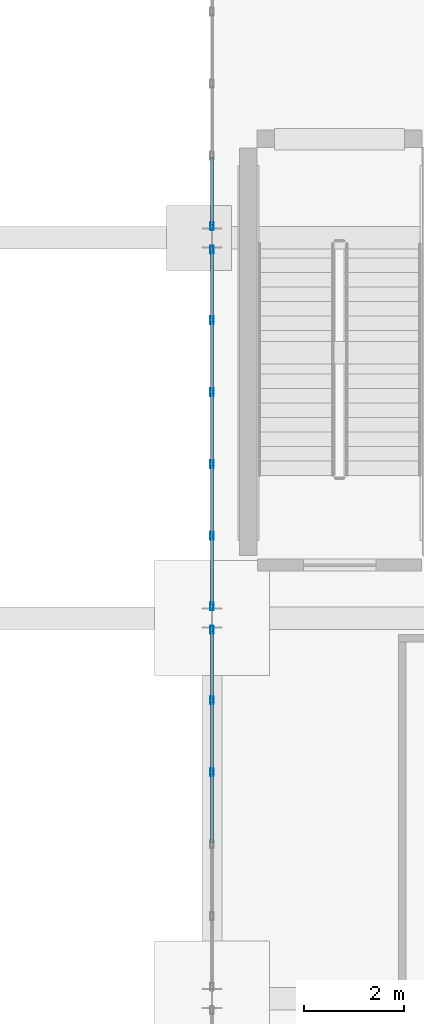
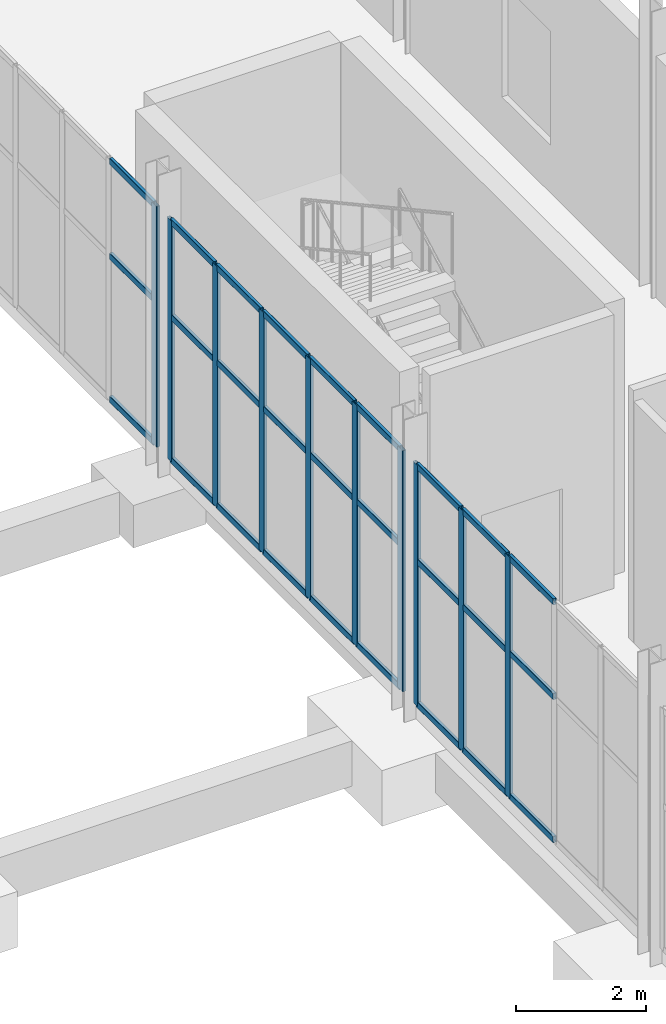
# One storey, part 51 of 95: 37 members, 3 elements without a shape of their own.
"""IFC4 building model written with IfcOpenShell, lengths in metres."""

from ifc_helpers import new_model, si_unit, direction, frame, origin, origin_2d, place, context, subcontext, project, spatial, hollow_rectangle, extrude, material, material_profile, profile_set, type_object, element, aggregate, save


model = new_model("IFC4")

# Units and contexts
model_context = context("Model", 3, precision=1e-05, world=origin(), true_north=direction((0.0, 1.0)))
body_context = subcontext(model_context, "Body", "Model", "MODEL_VIEW")
ifc_project = project(units=[si_unit("LENGTHUNIT", "METRE"), si_unit("AREAUNIT", "SQUARE_METRE"), si_unit("VOLUMEUNIT", "CUBIC_METRE"), si_unit("PLANEANGLEUNIT", "RADIAN"), si_unit("MASSUNIT", "GRAM", prefix="KILO")], contexts=[model_context])

# Site, building, storey
site_placement = place(None, origin())
site = spatial("IfcSite", under=ifc_project, at=site_placement, CompositionType="ELEMENT")
building_placement = place(site_placement, origin())
building = spatial("IfcBuilding", under=site, at=building_placement, Name="Shengluoqiao Park Theatre", CompositionType="ELEMENT")
storey_placement = place(building_placement, origin())
storey = spatial("IfcBuildingStorey", under=building, at=storey_placement, Name="L00", CompositionType="ELEMENT", Elevation=0.0)

# Curtain wall, members
ifc_material = material(Name="Aluminium 6063-T6", Category="aluminium")
curtain_wall_type = type_object("IfcCurtainWallType", Name="ENV-CW-COURT", PredefinedType="NOTDEFINED", material=ifc_material)
curtain_wall_1_placement = place(storey_placement, origin())
curtain_wall_1 = element("IfcCurtainWall", 1, at=curtain_wall_1_placement, inside=storey, type_object=curtain_wall_type, Name="L00 Curtain Wall CWX-L00-0173", PredefinedType="NOTDEFINED")
ifc_material_profile_1 = material_profile(ifc_material, hollow_rectangle(XDim=0.06005859375, YDim=0.159912109375, WallThickness=0.00390625, InnerFilletRadius=0.00390625, OuterFilletRadius=0.008056640625, at=origin_2d()), Name="ALU MULLION 160x60x4")
ifc_profile_set_1 = profile_set([ifc_material_profile_1], Name="Aluminium 6063-T6")
member_type_1 = type_object("IfcMemberType", Name="ENV-MUL-160", PredefinedType="MULLION", material=ifc_profile_set_1)
member_1_placement = place(storey_placement, frame((157.199951171875, 50.119140625, 0.0), z_axis=(0.0, 0.0, 1.0), x_axis=(-1.0, 0.0, 0.0)))
member_1 = element("IfcMember", 2, at=member_1_placement, type_object=member_type_1, Name="CW-05 mullion 4", PredefinedType="MULLION", context=body_context, shape_type="SweptSolid", body=[
    extrude(hollow_rectangle(XDim=0.06005859375, YDim=0.159912109375, WallThickness=0.00390625, InnerFilletRadius=0.00390625, OuterFilletRadius=0.008056640625, at=origin_2d()), origin(), (0.0, 0.0, 1.0), 4.5419921875),
])
member_2_placement = place(storey_placement, frame((157.199951171875, 51.5576171875, 0.0), z_axis=(0.0, 0.0, 1.0), x_axis=(-1.0, 0.0, 0.0)))
member_2 = element("IfcMember", 3, at=member_2_placement, type_object=member_type_1, Name="CW-05 mullion 5", PredefinedType="MULLION", context=body_context, shape_type="SweptSolid", body=[
    extrude(hollow_rectangle(XDim=0.06005859375, YDim=0.159912109375, WallThickness=0.00390625, InnerFilletRadius=0.00390625, OuterFilletRadius=0.008056640625, at=origin_2d()), origin(), (0.0, 0.0, 1.0), 4.5419921875),
])
member_3_placement = place(storey_placement, frame((157.199951171875, 52.966064453125, 0.0), z_axis=(0.0, 0.0, 1.0), x_axis=(-1.0, 0.0, 0.0)))
member_3 = element("IfcMember", 4, at=member_3_placement, type_object=member_type_1, Name="CW-05 mullion 6", PredefinedType="MULLION", context=body_context, shape_type="SweptSolid", body=[
    extrude(hollow_rectangle(XDim=0.06005859375, YDim=0.159912109375, WallThickness=0.00390625, InnerFilletRadius=0.00390625, OuterFilletRadius=0.008056640625, at=origin_2d()), origin(), (0.0, 0.0, 1.0), 4.5419921875),
])

curtain_wall_2_placement = place(storey_placement, origin())
curtain_wall_2 = element("IfcCurtainWall", 5, at=curtain_wall_2_placement, inside=storey, type_object=curtain_wall_type, Name="L00 Curtain Wall CWX-L00-0174", PredefinedType="NOTDEFINED")
member_4_placement = place(storey_placement, frame((157.199951171875, 53.43408203125, 0.0), z_axis=(0.0, 0.0, 1.0), x_axis=(-1.0, 0.0, 0.0)))
member_4 = element("IfcMember", 6, at=member_4_placement, type_object=member_type_1, Name="CW-05 mullion 1", PredefinedType="MULLION", context=body_context, shape_type="SweptSolid", body=[
    extrude(hollow_rectangle(XDim=0.06005859375, YDim=0.159912109375, WallThickness=0.00390625, InnerFilletRadius=0.00390625, OuterFilletRadius=0.008056640625, at=origin_2d()), origin(), (0.0, 0.0, 1.0), 4.5419921875),
])
member_5_placement = place(storey_placement, frame((157.199951171875, 54.84228515625, 0.0), z_axis=(0.0, 0.0, 1.0), x_axis=(-1.0, 0.0, 0.0)))
member_5 = element("IfcMember", 7, at=member_5_placement, type_object=member_type_1, Name="CW-05 mullion 2", PredefinedType="MULLION", context=body_context, shape_type="SweptSolid", body=[
    extrude(hollow_rectangle(XDim=0.06005859375, YDim=0.159912109375, WallThickness=0.00390625, InnerFilletRadius=0.00390625, OuterFilletRadius=0.008056640625, at=origin_2d()), origin(), (0.0, 0.0, 1.0), 4.5419921875),
])
member_6_placement = place(storey_placement, frame((157.199951171875, 56.28076171875, 0.0), z_axis=(0.0, 0.0, 1.0), x_axis=(-1.0, 0.0, 0.0)))
member_6 = element("IfcMember", 8, at=member_6_placement, type_object=member_type_1, Name="CW-05 mullion 3", PredefinedType="MULLION", context=body_context, shape_type="SweptSolid", body=[
    extrude(hollow_rectangle(XDim=0.06005859375, YDim=0.159912109375, WallThickness=0.00390625, InnerFilletRadius=0.00390625, OuterFilletRadius=0.008056640625, at=origin_2d()), origin(), (0.0, 0.0, 1.0), 4.5419921875),
])
member_7_placement = place(storey_placement, frame((157.199951171875, 57.71923828125, 0.0), z_axis=(0.0, 0.0, 1.0), x_axis=(-1.0, 0.0, 0.0)))
member_7 = element("IfcMember", 9, at=member_7_placement, type_object=member_type_1, Name="CW-05 mullion 4", PredefinedType="MULLION", context=body_context, shape_type="SweptSolid", body=[
    extrude(hollow_rectangle(XDim=0.06005859375, YDim=0.159912109375, WallThickness=0.00390625, InnerFilletRadius=0.00390625, OuterFilletRadius=0.008056640625, at=origin_2d()), origin(), (0.0, 0.0, 1.0), 4.5419921875),
])
member_8_placement = place(storey_placement, frame((157.199951171875, 59.15771484375, 0.0), z_axis=(0.0, 0.0, 1.0), x_axis=(-1.0, 0.0, 0.0)))
member_8 = element("IfcMember", 10, at=member_8_placement, type_object=member_type_1, Name="CW-05 mullion 5", PredefinedType="MULLION", context=body_context, shape_type="SweptSolid", body=[
    extrude(hollow_rectangle(XDim=0.06005859375, YDim=0.159912109375, WallThickness=0.00390625, InnerFilletRadius=0.00390625, OuterFilletRadius=0.008056640625, at=origin_2d()), origin(), (0.0, 0.0, 1.0), 4.5419921875),
])
member_9_placement = place(storey_placement, frame((157.199951171875, 60.56591796875, 0.0), z_axis=(0.0, 0.0, 1.0), x_axis=(-1.0, 0.0, 0.0)))
member_9 = element("IfcMember", 11, at=member_9_placement, type_object=member_type_1, Name="CW-05 mullion 6", PredefinedType="MULLION", context=body_context, shape_type="SweptSolid", body=[
    extrude(hollow_rectangle(XDim=0.06005859375, YDim=0.159912109375, WallThickness=0.00390625, InnerFilletRadius=0.00390625, OuterFilletRadius=0.008056640625, at=origin_2d()), origin(), (0.0, 0.0, 1.0), 4.5419921875),
])

# Curtain wall, member
curtain_wall_3_placement = place(storey_placement, origin())
curtain_wall_3 = element("IfcCurtainWall", 12, at=curtain_wall_3_placement, inside=storey, type_object=curtain_wall_type, Name="L00 Curtain Wall CWX-L00-0175", PredefinedType="NOTDEFINED")
member_10_placement = place(storey_placement, frame((157.199951171875, 61.033935546875, 0.0), z_axis=(0.0, 0.0, 1.0), x_axis=(-1.0, 0.0, 0.0)))
member_10 = element("IfcMember", 13, at=member_10_placement, type_object=member_type_1, Name="CW-05 mullion 1", PredefinedType="MULLION", context=body_context, shape_type="SweptSolid", body=[
    extrude(hollow_rectangle(XDim=0.06005859375, YDim=0.159912109375, WallThickness=0.00390625, InnerFilletRadius=0.00390625, OuterFilletRadius=0.008056640625, at=origin_2d()), origin(), (0.0, 0.0, 1.0), 4.5419921875),
])

# Member
ifc_material_profile_2 = material_profile(ifc_material, hollow_rectangle(XDim=0.06005859375, YDim=0.1201171875, WallThickness=0.00390625, InnerFilletRadius=0.00390625, OuterFilletRadius=0.008056640625, at=origin_2d()), Name="ALU TRANSOM 120x60x4")
ifc_profile_set_2 = profile_set([ifc_material_profile_2], Name="Aluminium 6063-T6")
member_type_2 = type_object("IfcMemberType", Name="ENV-TRN-120", PredefinedType="USERDEFINED", material=ifc_profile_set_2)
member_11_placement = place(storey_placement, frame((157.199951171875, 48.710693359375, 0.030029296875), z_axis=(0.0, 1.0, 0.0), x_axis=(-1.0, 0.0, 0.0)))
member_11 = element("IfcMember", 14, at=member_11_placement, type_object=member_type_2, Name="CW-05 transom 3.1", ObjectType="TRANSOM", PredefinedType="USERDEFINED", context=body_context, shape_type="SweptSolid", body=[
    extrude(hollow_rectangle(XDim=0.06005859375, YDim=0.1201171875, WallThickness=0.00390625, InnerFilletRadius=0.00390625, OuterFilletRadius=0.008056640625, at=origin_2d()), origin(), (0.0, 0.0, 1.0), 1.37841796875),
])

member_12_placement = place(storey_placement, frame((157.199951171875, 48.710693359375, 2.72509765625), z_axis=(0.0, 1.0, 0.0), x_axis=(-1.0, 0.0, 0.0)))
member_12 = element("IfcMember", 15, at=member_12_placement, type_object=member_type_2, Name="CW-05 transom 3.2", ObjectType="TRANSOM", PredefinedType="USERDEFINED", context=body_context, shape_type="SweptSolid", body=[
    extrude(hollow_rectangle(XDim=0.06005859375, YDim=0.1201171875, WallThickness=0.00390625, InnerFilletRadius=0.00390625, OuterFilletRadius=0.008056640625, at=origin_2d()), origin(), (0.0, 0.0, 1.0), 1.37841796875),
])

member_13_placement = place(storey_placement, frame((157.199951171875, 48.710693359375, 4.511962890625), z_axis=(0.0, 1.0, 0.0), x_axis=(-1.0, 0.0, 0.0)))
member_13 = element("IfcMember", 16, at=member_13_placement, type_object=member_type_2, Name="CW-05 transom 3.3", ObjectType="TRANSOM", PredefinedType="USERDEFINED", context=body_context, shape_type="SweptSolid", body=[
    extrude(hollow_rectangle(XDim=0.06005859375, YDim=0.1201171875, WallThickness=0.00390625, InnerFilletRadius=0.00390625, OuterFilletRadius=0.008056640625, at=origin_2d()), origin(), (0.0, 0.0, 1.0), 1.37841796875),
])

member_14_placement = place(storey_placement, frame((157.199951171875, 50.149169921875, 0.030029296875), z_axis=(0.0, 1.0, 0.0), x_axis=(-1.0, 0.0, 0.0)))
member_14 = element("IfcMember", 17, at=member_14_placement, type_object=member_type_2, Name="CW-05 transom 4.1", ObjectType="TRANSOM", PredefinedType="USERDEFINED", context=body_context, shape_type="SweptSolid", body=[
    extrude(hollow_rectangle(XDim=0.06005859375, YDim=0.1201171875, WallThickness=0.00390625, InnerFilletRadius=0.00390625, OuterFilletRadius=0.008056640625, at=origin_2d()), origin(), (0.0, 0.0, 1.0), 1.37841796875),
])

member_15_placement = place(storey_placement, frame((157.199951171875, 50.149169921875, 2.72509765625), z_axis=(0.0, 1.0, 0.0), x_axis=(-1.0, 0.0, 0.0)))
member_15 = element("IfcMember", 18, at=member_15_placement, type_object=member_type_2, Name="CW-05 transom 4.2", ObjectType="TRANSOM", PredefinedType="USERDEFINED", context=body_context, shape_type="SweptSolid", body=[
    extrude(hollow_rectangle(XDim=0.06005859375, YDim=0.1201171875, WallThickness=0.00390625, InnerFilletRadius=0.00390625, OuterFilletRadius=0.008056640625, at=origin_2d()), origin(), (0.0, 0.0, 1.0), 1.37841796875),
])

member_16_placement = place(storey_placement, frame((157.199951171875, 50.149169921875, 4.511962890625), z_axis=(0.0, 1.0, 0.0), x_axis=(-1.0, 0.0, 0.0)))
member_16 = element("IfcMember", 19, at=member_16_placement, type_object=member_type_2, Name="CW-05 transom 4.3", ObjectType="TRANSOM", PredefinedType="USERDEFINED", context=body_context, shape_type="SweptSolid", body=[
    extrude(hollow_rectangle(XDim=0.06005859375, YDim=0.1201171875, WallThickness=0.00390625, InnerFilletRadius=0.00390625, OuterFilletRadius=0.008056640625, at=origin_2d()), origin(), (0.0, 0.0, 1.0), 1.37841796875),
])

member_17_placement = place(storey_placement, frame((157.199951171875, 51.587646484375, 0.030029296875), z_axis=(0.0, 1.0, 0.0), x_axis=(-1.0, 0.0, 0.0)))
member_17 = element("IfcMember", 20, at=member_17_placement, type_object=member_type_2, Name="CW-05 transom 5.1", ObjectType="TRANSOM", PredefinedType="USERDEFINED", context=body_context, shape_type="SweptSolid", body=[
    extrude(hollow_rectangle(XDim=0.06005859375, YDim=0.1201171875, WallThickness=0.00390625, InnerFilletRadius=0.00390625, OuterFilletRadius=0.008056640625, at=origin_2d()), origin(), (0.0, 0.0, 1.0), 1.348388671875),
])

member_18_placement = place(storey_placement, frame((157.199951171875, 51.587646484375, 2.72509765625), z_axis=(0.0, 1.0, 0.0), x_axis=(-1.0, 0.0, 0.0)))
member_18 = element("IfcMember", 21, at=member_18_placement, type_object=member_type_2, Name="CW-05 transom 5.2", ObjectType="TRANSOM", PredefinedType="USERDEFINED", context=body_context, shape_type="SweptSolid", body=[
    extrude(hollow_rectangle(XDim=0.06005859375, YDim=0.1201171875, WallThickness=0.00390625, InnerFilletRadius=0.00390625, OuterFilletRadius=0.008056640625, at=origin_2d()), origin(), (0.0, 0.0, 1.0), 1.348388671875),
])

member_19_placement = place(storey_placement, frame((157.199951171875, 51.587646484375, 4.511962890625), z_axis=(0.0, 1.0, 0.0), x_axis=(-1.0, 0.0, 0.0)))
member_19 = element("IfcMember", 22, at=member_19_placement, type_object=member_type_2, Name="CW-05 transom 5.3", ObjectType="TRANSOM", PredefinedType="USERDEFINED", context=body_context, shape_type="SweptSolid", body=[
    extrude(hollow_rectangle(XDim=0.06005859375, YDim=0.1201171875, WallThickness=0.00390625, InnerFilletRadius=0.00390625, OuterFilletRadius=0.008056640625, at=origin_2d()), origin(), (0.0, 0.0, 1.0), 1.348388671875),
])

aggregate(curtain_wall_1, [member_1, member_2, member_3, member_11, member_12, member_13, member_14, member_15, member_16, member_17, member_18, member_19])

member_20_placement = place(storey_placement, frame((157.199951171875, 53.464111328125, 0.030029296875), z_axis=(0.0, 1.0, 0.0), x_axis=(-1.0, 0.0, 0.0)))
member_20 = element("IfcMember", 23, at=member_20_placement, type_object=member_type_2, Name="CW-05 transom 1.1", ObjectType="TRANSOM", PredefinedType="USERDEFINED", context=body_context, shape_type="SweptSolid", body=[
    extrude(hollow_rectangle(XDim=0.06005859375, YDim=0.1201171875, WallThickness=0.00390625, InnerFilletRadius=0.00390625, OuterFilletRadius=0.008056640625, at=origin_2d()), origin(), (0.0, 0.0, 1.0), 1.348388671875),
])

member_21_placement = place(storey_placement, frame((157.199951171875, 53.464111328125, 2.72509765625), z_axis=(0.0, 1.0, 0.0), x_axis=(-1.0, 0.0, 0.0)))
member_21 = element("IfcMember", 24, at=member_21_placement, type_object=member_type_2, Name="CW-05 transom 1.2", ObjectType="TRANSOM", PredefinedType="USERDEFINED", context=body_context, shape_type="SweptSolid", body=[
    extrude(hollow_rectangle(XDim=0.06005859375, YDim=0.1201171875, WallThickness=0.00390625, InnerFilletRadius=0.00390625, OuterFilletRadius=0.008056640625, at=origin_2d()), origin(), (0.0, 0.0, 1.0), 1.348388671875),
])

member_22_placement = place(storey_placement, frame((157.199951171875, 53.464111328125, 4.511962890625), z_axis=(0.0, 1.0, 0.0), x_axis=(-1.0, 0.0, 0.0)))
member_22 = element("IfcMember", 25, at=member_22_placement, type_object=member_type_2, Name="CW-05 transom 1.3", ObjectType="TRANSOM", PredefinedType="USERDEFINED", context=body_context, shape_type="SweptSolid", body=[
    extrude(hollow_rectangle(XDim=0.06005859375, YDim=0.1201171875, WallThickness=0.00390625, InnerFilletRadius=0.00390625, OuterFilletRadius=0.008056640625, at=origin_2d()), origin(), (0.0, 0.0, 1.0), 1.348388671875),
])

member_23_placement = place(storey_placement, frame((157.199951171875, 54.872314453125, 0.030029296875), z_axis=(0.0, 1.0, 0.0), x_axis=(-1.0, 0.0, 0.0)))
member_23 = element("IfcMember", 26, at=member_23_placement, type_object=member_type_2, Name="CW-05 transom 2.1", ObjectType="TRANSOM", PredefinedType="USERDEFINED", context=body_context, shape_type="SweptSolid", body=[
    extrude(hollow_rectangle(XDim=0.06005859375, YDim=0.1201171875, WallThickness=0.00390625, InnerFilletRadius=0.00390625, OuterFilletRadius=0.008056640625, at=origin_2d()), origin(), (0.0, 0.0, 1.0), 1.37841796875),
])

member_24_placement = place(storey_placement, frame((157.199951171875, 54.872314453125, 2.72509765625), z_axis=(0.0, 1.0, 0.0), x_axis=(-1.0, 0.0, 0.0)))
member_24 = element("IfcMember", 27, at=member_24_placement, type_object=member_type_2, Name="CW-05 transom 2.2", ObjectType="TRANSOM", PredefinedType="USERDEFINED", context=body_context, shape_type="SweptSolid", body=[
    extrude(hollow_rectangle(XDim=0.06005859375, YDim=0.1201171875, WallThickness=0.00390625, InnerFilletRadius=0.00390625, OuterFilletRadius=0.008056640625, at=origin_2d()), origin(), (0.0, 0.0, 1.0), 1.37841796875),
])

member_25_placement = place(storey_placement, frame((157.199951171875, 54.872314453125, 4.511962890625), z_axis=(0.0, 1.0, 0.0), x_axis=(-1.0, 0.0, 0.0)))
member_25 = element("IfcMember", 28, at=member_25_placement, type_object=member_type_2, Name="CW-05 transom 2.3", ObjectType="TRANSOM", PredefinedType="USERDEFINED", context=body_context, shape_type="SweptSolid", body=[
    extrude(hollow_rectangle(XDim=0.06005859375, YDim=0.1201171875, WallThickness=0.00390625, InnerFilletRadius=0.00390625, OuterFilletRadius=0.008056640625, at=origin_2d()), origin(), (0.0, 0.0, 1.0), 1.37841796875),
])

member_26_placement = place(storey_placement, frame((157.199951171875, 56.310791015625, 0.030029296875), z_axis=(0.0, 1.0, 0.0), x_axis=(-1.0, 0.0, 0.0)))
member_26 = element("IfcMember", 29, at=member_26_placement, type_object=member_type_2, Name="CW-05 transom 3.1", ObjectType="TRANSOM", PredefinedType="USERDEFINED", context=body_context, shape_type="SweptSolid", body=[
    extrude(hollow_rectangle(XDim=0.06005859375, YDim=0.1201171875, WallThickness=0.00390625, InnerFilletRadius=0.00390625, OuterFilletRadius=0.008056640625, at=origin_2d()), origin(), (0.0, 0.0, 1.0), 1.37841796875),
])

member_27_placement = place(storey_placement, frame((157.199951171875, 56.310791015625, 2.72509765625), z_axis=(0.0, 1.0, 0.0), x_axis=(-1.0, 0.0, 0.0)))
member_27 = element("IfcMember", 30, at=member_27_placement, type_object=member_type_2, Name="CW-05 transom 3.2", ObjectType="TRANSOM", PredefinedType="USERDEFINED", context=body_context, shape_type="SweptSolid", body=[
    extrude(hollow_rectangle(XDim=0.06005859375, YDim=0.1201171875, WallThickness=0.00390625, InnerFilletRadius=0.00390625, OuterFilletRadius=0.008056640625, at=origin_2d()), origin(), (0.0, 0.0, 1.0), 1.37841796875),
])

member_28_placement = place(storey_placement, frame((157.199951171875, 56.310791015625, 4.511962890625), z_axis=(0.0, 1.0, 0.0), x_axis=(-1.0, 0.0, 0.0)))
member_28 = element("IfcMember", 31, at=member_28_placement, type_object=member_type_2, Name="CW-05 transom 3.3", ObjectType="TRANSOM", PredefinedType="USERDEFINED", context=body_context, shape_type="SweptSolid", body=[
    extrude(hollow_rectangle(XDim=0.06005859375, YDim=0.1201171875, WallThickness=0.00390625, InnerFilletRadius=0.00390625, OuterFilletRadius=0.008056640625, at=origin_2d()), origin(), (0.0, 0.0, 1.0), 1.37841796875),
])

member_29_placement = place(storey_placement, frame((157.199951171875, 57.749267578125, 0.030029296875), z_axis=(0.0, 1.0, 0.0), x_axis=(-1.0, 0.0, 0.0)))
member_29 = element("IfcMember", 32, at=member_29_placement, type_object=member_type_2, Name="CW-05 transom 4.1", ObjectType="TRANSOM", PredefinedType="USERDEFINED", context=body_context, shape_type="SweptSolid", body=[
    extrude(hollow_rectangle(XDim=0.06005859375, YDim=0.1201171875, WallThickness=0.00390625, InnerFilletRadius=0.00390625, OuterFilletRadius=0.008056640625, at=origin_2d()), origin(), (0.0, 0.0, 1.0), 1.37841796875),
])

member_30_placement = place(storey_placement, frame((157.199951171875, 57.749267578125, 2.72509765625), z_axis=(0.0, 1.0, 0.0), x_axis=(-1.0, 0.0, 0.0)))
member_30 = element("IfcMember", 33, at=member_30_placement, type_object=member_type_2, Name="CW-05 transom 4.2", ObjectType="TRANSOM", PredefinedType="USERDEFINED", context=body_context, shape_type="SweptSolid", body=[
    extrude(hollow_rectangle(XDim=0.06005859375, YDim=0.1201171875, WallThickness=0.00390625, InnerFilletRadius=0.00390625, OuterFilletRadius=0.008056640625, at=origin_2d()), origin(), (0.0, 0.0, 1.0), 1.37841796875),
])

member_31_placement = place(storey_placement, frame((157.199951171875, 57.749267578125, 4.511962890625), z_axis=(0.0, 1.0, 0.0), x_axis=(-1.0, 0.0, 0.0)))
member_31 = element("IfcMember", 34, at=member_31_placement, type_object=member_type_2, Name="CW-05 transom 4.3", ObjectType="TRANSOM", PredefinedType="USERDEFINED", context=body_context, shape_type="SweptSolid", body=[
    extrude(hollow_rectangle(XDim=0.06005859375, YDim=0.1201171875, WallThickness=0.00390625, InnerFilletRadius=0.00390625, OuterFilletRadius=0.008056640625, at=origin_2d()), origin(), (0.0, 0.0, 1.0), 1.37841796875),
])

member_32_placement = place(storey_placement, frame((157.199951171875, 59.1875, 0.030029296875), z_axis=(0.0, 1.0, 0.0), x_axis=(-1.0, 0.0, 0.0)))
member_32 = element("IfcMember", 35, at=member_32_placement, type_object=member_type_2, Name="CW-05 transom 5.1", ObjectType="TRANSOM", PredefinedType="USERDEFINED", context=body_context, shape_type="SweptSolid", body=[
    extrude(hollow_rectangle(XDim=0.06005859375, YDim=0.1201171875, WallThickness=0.00390625, InnerFilletRadius=0.00390625, OuterFilletRadius=0.008056640625, at=origin_2d()), origin(), (0.0, 0.0, 1.0), 1.348388671875),
])

member_33_placement = place(storey_placement, frame((157.199951171875, 59.1875, 2.72509765625), z_axis=(0.0, 1.0, 0.0), x_axis=(-1.0, 0.0, 0.0)))
member_33 = element("IfcMember", 36, at=member_33_placement, type_object=member_type_2, Name="CW-05 transom 5.2", ObjectType="TRANSOM", PredefinedType="USERDEFINED", context=body_context, shape_type="SweptSolid", body=[
    extrude(hollow_rectangle(XDim=0.06005859375, YDim=0.1201171875, WallThickness=0.00390625, InnerFilletRadius=0.00390625, OuterFilletRadius=0.008056640625, at=origin_2d()), origin(), (0.0, 0.0, 1.0), 1.348388671875),
])

member_34_placement = place(storey_placement, frame((157.199951171875, 59.1875, 4.511962890625), z_axis=(0.0, 1.0, 0.0), x_axis=(-1.0, 0.0, 0.0)))
member_34 = element("IfcMember", 37, at=member_34_placement, type_object=member_type_2, Name="CW-05 transom 5.3", ObjectType="TRANSOM", PredefinedType="USERDEFINED", context=body_context, shape_type="SweptSolid", body=[
    extrude(hollow_rectangle(XDim=0.06005859375, YDim=0.1201171875, WallThickness=0.00390625, InnerFilletRadius=0.00390625, OuterFilletRadius=0.008056640625, at=origin_2d()), origin(), (0.0, 0.0, 1.0), 1.348388671875),
])

aggregate(curtain_wall_2, [member_4, member_5, member_6, member_7, member_8, member_9, member_20, member_21, member_22, member_23, member_24, member_25, member_26, member_27, member_28, member_29, member_30, member_31, member_32, member_33, member_34])

member_35_placement = place(storey_placement, frame((157.199951171875, 61.06396484375, 0.030029296875), z_axis=(0.0, 1.0, 0.0), x_axis=(-1.0, 0.0, 0.0)))
member_35 = element("IfcMember", 38, at=member_35_placement, type_object=member_type_2, Name="CW-05 transom 1.1", ObjectType="TRANSOM", PredefinedType="USERDEFINED", context=body_context, shape_type="SweptSolid", body=[
    extrude(hollow_rectangle(XDim=0.06005859375, YDim=0.1201171875, WallThickness=0.00390625, InnerFilletRadius=0.00390625, OuterFilletRadius=0.008056640625, at=origin_2d()), origin(), (0.0, 0.0, 1.0), 1.348388671875),
])

member_36_placement = place(storey_placement, frame((157.199951171875, 61.06396484375, 2.72509765625), z_axis=(0.0, 1.0, 0.0), x_axis=(-1.0, 0.0, 0.0)))
member_36 = element("IfcMember", 39, at=member_36_placement, type_object=member_type_2, Name="CW-05 transom 1.2", ObjectType="TRANSOM", PredefinedType="USERDEFINED", context=body_context, shape_type="SweptSolid", body=[
    extrude(hollow_rectangle(XDim=0.06005859375, YDim=0.1201171875, WallThickness=0.00390625, InnerFilletRadius=0.00390625, OuterFilletRadius=0.008056640625, at=origin_2d()), origin(), (0.0, 0.0, 1.0), 1.348388671875),
])

member_37_placement = place(storey_placement, frame((157.199951171875, 61.06396484375, 4.511962890625), z_axis=(0.0, 1.0, 0.0), x_axis=(-1.0, 0.0, 0.0)))
member_37 = element("IfcMember", 40, at=member_37_placement, type_object=member_type_2, Name="CW-05 transom 1.3", ObjectType="TRANSOM", PredefinedType="USERDEFINED", context=body_context, shape_type="SweptSolid", body=[
    extrude(hollow_rectangle(XDim=0.06005859375, YDim=0.1201171875, WallThickness=0.00390625, InnerFilletRadius=0.00390625, OuterFilletRadius=0.008056640625, at=origin_2d()), origin(), (0.0, 0.0, 1.0), 1.348388671875),
])

aggregate(curtain_wall_3, [member_10, member_35, member_36, member_37])

save(model, "model.ifc")
